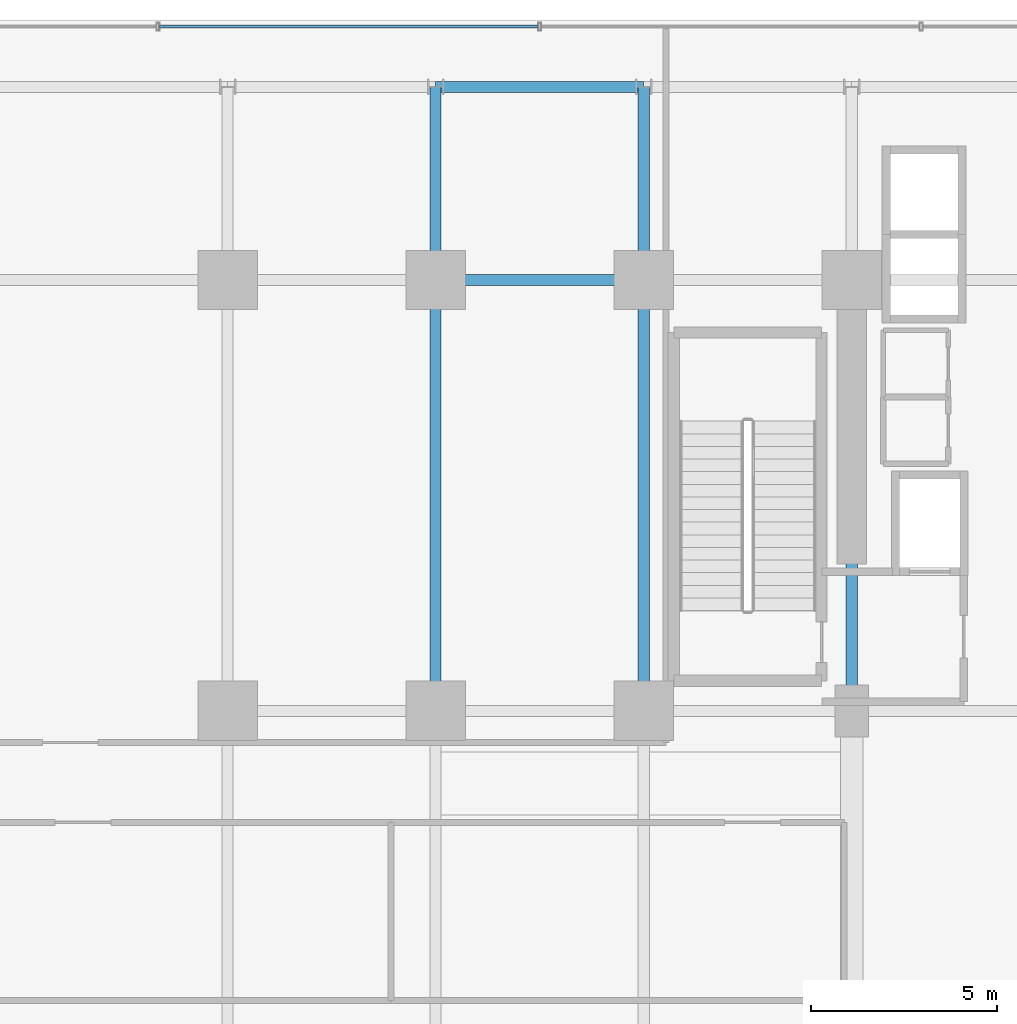
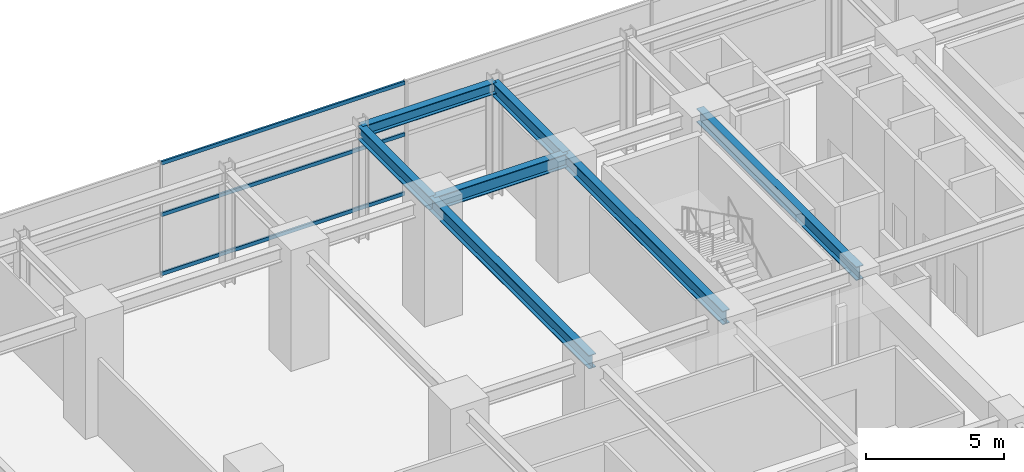
# One storey, part 17 of 32: 7 beams, 3 members, 1 element without a shape of its own.
"""IFC4 building model written with IfcOpenShell, lengths in metres."""

from ifc_helpers import new_model, si_unit, direction, frame, origin, origin_2d, place, context, subcontext, project, spatial, hollow_rectangle, i_section, extrude, source, transform, mapped, material, material_profile, profile_set, type_object, element, aggregate, save


model = new_model("IFC4")

# Units and contexts
model_context = context("Model", 3, precision=1e-05, world=origin(), true_north=direction((0.0, 1.0)))
body_context = subcontext(model_context, "Body", "Model", "MODEL_VIEW")
ifc_project = project(units=[si_unit("LENGTHUNIT", "METRE"), si_unit("AREAUNIT", "SQUARE_METRE"), si_unit("VOLUMEUNIT", "CUBIC_METRE"), si_unit("PLANEANGLEUNIT", "RADIAN"), si_unit("MASSUNIT", "GRAM", prefix="KILO")], contexts=[model_context])

# Site, building, storey
site_placement = place(None, origin())
site = spatial("IfcSite", under=ifc_project, at=site_placement, CompositionType="ELEMENT")
building_placement = place(site_placement, origin())
building = spatial("IfcBuilding", under=site, at=building_placement, Name="Nahalor Promenade Grand Hotel", CompositionType="ELEMENT")
storey_placement = place(building_placement, frame((0.0, 0.0, 10.800048828125)))
storey = spatial("IfcBuildingStorey", under=building, at=storey_placement, Name="L02", CompositionType="ELEMENT", Elevation=10.800048828125)

# Beams
ifc_material_1 = material(Name="Steel S355JR", Category="steel")
ifc_material_profile_1 = material_profile(ifc_material_1, i_section(OverallWidth=0.3, OverallDepth=0.6, WebThickness=0.0155, FlangeThickness=0.03, at=origin_2d()), Name="HEB 600")
ifc_profile_set_1 = profile_set([ifc_material_profile_1], Name="Steel S355JR")
beam_type_1 = type_object("IfcBeamType", Name="Beam-Girder-HEB600", PredefinedType="BEAM", material=ifc_profile_set_1)
shared_shape_1 = source(origin(), body_context, "Body", "SweptSolid", [
    extrude(i_section(OverallWidth=0.3, OverallDepth=0.6, WebThickness=0.0155, FlangeThickness=0.03, at=origin_2d()), origin(), (0.0, 0.0, 1.0), 5.60009765625),
])
beam_1_placement = place(storey_placement, frame((-2.800048828125, 17.0, 4.760009765625), z_axis=(1.0, 0.0, 0.0), x_axis=(0.0, 1.0, 0.0)))
element("IfcBeam", 1, at=beam_1_placement, inside=storey, type_object=beam_type_1, Name="BM-L02-GX-3-4", PredefinedType="BEAM", context=body_context, shape_type="MappedRepresentation", body=[
    mapped(shared_shape_1, transform((0.0, 0.0, 0.0), scale=1.0)),
])
shared_shape_2 = source(origin(), body_context, "Body", "SweptSolid", [
    extrude(i_section(OverallWidth=0.3, OverallDepth=0.6, WebThickness=0.0155, FlangeThickness=0.03, at=origin_2d()), origin(), (0.0, 0.0, 1.0), 5.199951171875),
])
for number, where, z_axis, x_axis, name in (
    (2, (-2.800048828125, 17.0, 4.760009765625), (0.0, 1.0, 0.0), (-1.0, 0.0, 0.0), "BM-L02-GY-2-4"),
    (3, (2.800048828125, 17.0, 4.760009765625), (0.0, 1.0, 0.0), (-1.0, 0.0, 0.0), "BM-L02-GY-3-4"),
):
    element("IfcBeam", number, at=place(storey_placement, frame(where, z_axis=z_axis, x_axis=x_axis)), inside=storey, type_object=beam_type_1, Name=name, PredefinedType="BEAM", context=body_context, shape_type="MappedRepresentation", body=[
        mapped(shared_shape_2, transform((0.0, 0.0, 0.0), scale=1.0)),
    ])
shared_shape_3 = source(origin(), body_context, "Body", "SweptSolid", [
    extrude(i_section(OverallWidth=0.3, OverallDepth=0.6, WebThickness=0.0155, FlangeThickness=0.03, at=origin_2d()), origin(), (0.0, 0.0, 1.0), 11.60009765625),
])
for number, where, z_axis, x_axis, name in (
    (4, (-2.800048828125, 5.39990234375, 4.760009765625), (0.0, 1.0, 0.0), (-1.0, 0.0, 0.0), "BM-L02-GY-2-3"),
    (5, (2.800048828125, 5.39990234375, 4.760009765625), (0.0, 1.0, 0.0), (-1.0, 0.0, 0.0), "BM-L02-GY-3-3"),
    (6, (8.39990234375, 5.39990234375, 4.760009765625), (0.0, 1.0, 0.0), (-1.0, 0.0, 0.0), "BM-L02-GY-4-3"),
):
    element("IfcBeam", number, at=place(storey_placement, frame(where, z_axis=z_axis, x_axis=x_axis)), inside=storey, type_object=beam_type_1, Name=name, PredefinedType="BEAM", context=body_context, shape_type="MappedRepresentation", body=[
        mapped(shared_shape_3, transform((0.0, 0.0, 0.0), scale=1.0)),
    ])
ifc_material_profile_2 = material_profile(ifc_material_1, i_section(OverallWidth=0.3, OverallDepth=0.5, WebThickness=0.0145, FlangeThickness=0.028, at=origin_2d()), Name="HEB 500")
ifc_profile_set_2 = profile_set([ifc_material_profile_2], Name="Steel S355JR")
beam_type_2 = type_object("IfcBeamType", Name="Beam-Spandrel-HEB500", PredefinedType="SPANDREL", material=ifc_profile_set_2)
shared_shape_4 = source(origin(), body_context, "Body", "SweptSolid", [
    extrude(i_section(OverallWidth=0.3, OverallDepth=0.5, WebThickness=0.0145, FlangeThickness=0.028, at=origin_2d()), origin(), (0.0, 0.0, 1.0), 5.60009765625),
])
beam_2_placement = place(storey_placement, frame((-2.800048828125, 22.199951171875, 4.81005859375), z_axis=(1.0, 0.0, 0.0), x_axis=(0.0, 1.0, 0.0)))
element("IfcBeam", 7, at=beam_2_placement, inside=storey, type_object=beam_type_2, Name="BM-L02-SP-N-2", PredefinedType="SPANDREL", context=body_context, shape_type="MappedRepresentation", body=[
    mapped(shared_shape_4, transform((0.0, 0.0, 0.0), scale=1.0)),
])

# Curtain wall, members
ifc_material_2 = material(Name="Anodised Bronze Aluminium EN AW-6063 T6", Category="aluminium")
curtain_wall_type = type_object("IfcCurtainWallType", Name="CW1 Waterfront Podium Bronze Arcade Curtain Wall", PredefinedType="USERDEFINED", material=ifc_material_2)
curtain_wall_placement = place(storey_placement, origin())
curtain_wall = element("IfcCurtainWall", 8, at=curtain_wall_placement, inside=storey, type_object=curtain_wall_type, Name="L02 Curtain Wall CW-L02-N", ObjectType="UNITISED_CURTAIN_WALL", PredefinedType="USERDEFINED")
ifc_material_profile_3 = material_profile(ifc_material_2, hollow_rectangle(XDim=0.08, YDim=0.16, WallThickness=0.004, at=origin_2d()), Name="CWT 80x160x4")
ifc_profile_set_3 = profile_set([ifc_material_profile_3], Name="Anodised Bronze Aluminium EN AW-6063 T6")
member_type = type_object("IfcMemberType", Name="CWT1 Podium Bronze Transom 80x160", PredefinedType="USERDEFINED", material=ifc_profile_set_3)
shared_shape_5 = source(origin(), body_context, "Body", "SweptSolid", [
    extrude(hollow_rectangle(XDim=0.08, YDim=0.16, WallThickness=0.004, at=origin_2d()), origin(), (0.0, 0.0, 1.0), 10.193359375),
])
member_1_placement = place(storey_placement, frame((-10.2333984375, 23.820068359375, 0.079833984375), z_axis=(1.0, 0.0, 0.0), x_axis=(0.0, 1.0, 0.0)))
member_1 = element("IfcMember", 9, at=member_1_placement, type_object=member_type, Name="CW-L02-N Transom 2-0", ObjectType="TRANSOM", PredefinedType="USERDEFINED", context=body_context, shape_type="MappedRepresentation", body=[
    mapped(shared_shape_5, transform((0.0, 0.0, 0.0), scale=1.0)),
])
member_2_placement = place(storey_placement, frame((-10.2333984375, 23.820068359375, 2.699951171875), z_axis=(1.0, 0.0, 0.0), x_axis=(0.0, 1.0, 0.0)))
member_2 = element("IfcMember", 10, at=member_2_placement, type_object=member_type, Name="CW-L02-N Transom 2-1", ObjectType="TRANSOM", PredefinedType="USERDEFINED", context=body_context, shape_type="MappedRepresentation", body=[
    mapped(shared_shape_5, transform((0.0, 0.0, 0.0), scale=1.0)),
])
member_3_placement = place(storey_placement, frame((-10.2333984375, 23.820068359375, 4.97998046875), z_axis=(1.0, 0.0, 0.0), x_axis=(0.0, 1.0, 0.0)))
member_3 = element("IfcMember", 11, at=member_3_placement, type_object=member_type, Name="CW-L02-N Transom 2-2", ObjectType="TRANSOM", PredefinedType="USERDEFINED", context=body_context, shape_type="MappedRepresentation", body=[
    mapped(shared_shape_5, transform((0.0, 0.0, 0.0), scale=1.0)),
])
aggregate(curtain_wall, [member_1, member_2, member_3])

save(model, "model.ifc")
